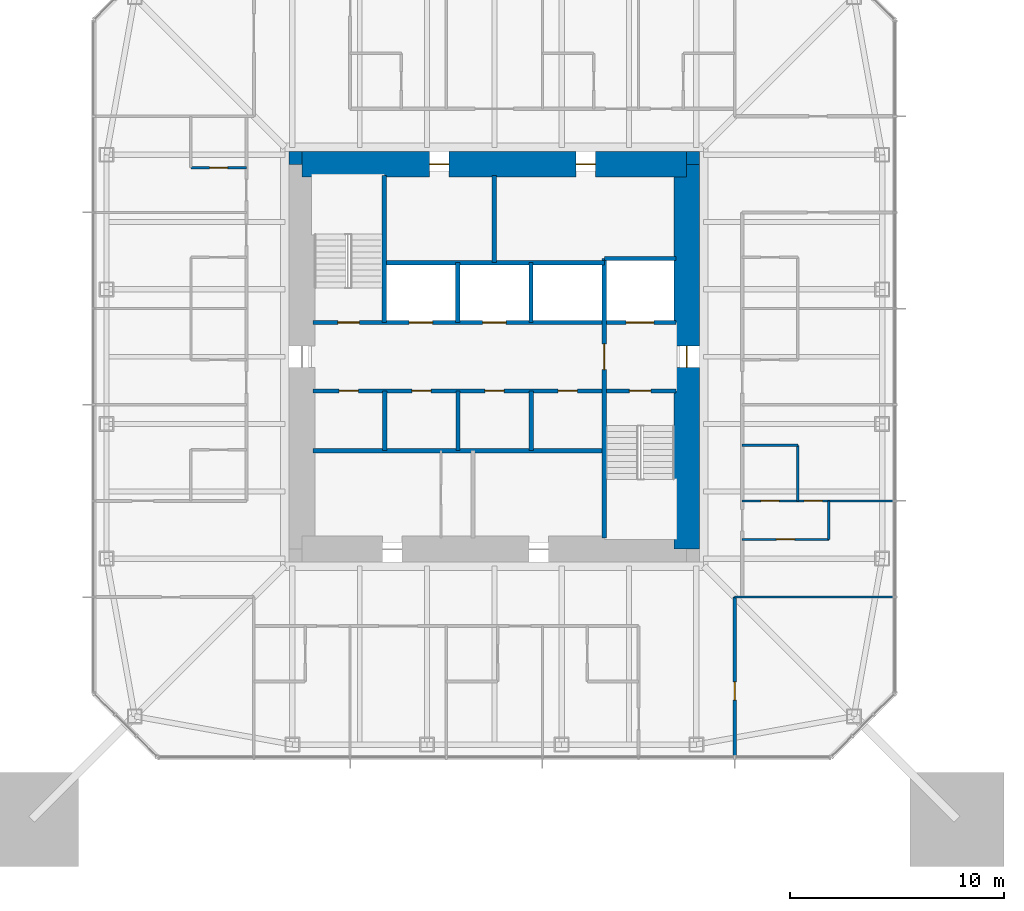
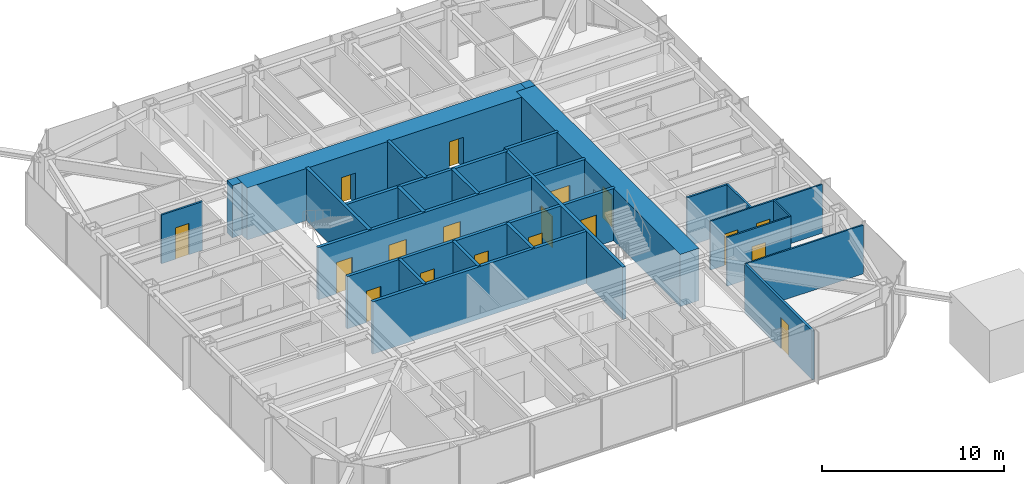
# One storey, part 7 of 11: 25 walls, 18 doors, 18 openings.
"""IFC4 building model written with IfcOpenShell, lengths in metres."""

import ifcopenshell
import ifcopenshell.guid

model = None  # the IFC model being written
_history = None  # IfcOwnerHistory: only IFC2X3 demands one
_inside = {}  # id of a spatial element -> (the spatial element, [elements in it])
_under = {}  # id of a project, library or spatial element -> (it, [spatial elements below it])
_declared = {}  # id of a project -> (the project, [libraries it declares])
_typed = {}  # id of a type object -> (the type object, [elements of that type])
_made_of = {}  # id of a material, layer set ... -> (it, [elements and type objects made of it])


def new_model(schema):
    """Start an empty IFC model of exactly this schema.

    Asked for "IFC4X3", IfcOpenShell would pick the latest addendum, in which some entities
    have other attributes; the version numbers below select the first issue.
    IFC2X3 requires an IfcOwnerHistory on every rooted entity: one is made here for all.
    """
    global model, _history
    if schema == "IFC4X3":
        model = ifcopenshell.file(schema_version=(4, 3, 0, 0))
    else:
        model = ifcopenshell.file(schema=schema)
    _inside.clear()
    _under.clear()
    _declared.clear()
    _typed.clear()
    _made_of.clear()
    _history = None
    if model.schema == "IFC2X3":
        org = make("IfcOrganization", Name="unknown")
        user = make(
            "IfcPersonAndOrganization",
            ThePerson=make("IfcPerson", FamilyName="unknown"),
            TheOrganization=org,
        )
        app = make(
            "IfcApplication",
            ApplicationDeveloper=org,
            Version="unknown",
            ApplicationFullName="unknown",
            ApplicationIdentifier="unknown",
        )
        _history = make(
            "IfcOwnerHistory",
            OwningUser=user,
            OwningApplication=app,
            ChangeAction="ADDED",
            CreationDate=0,
        )
    return model


def make(cls, **values):
    """One entity of the class cls with the attributes given. An attribute that is None is left unset."""
    return model.create_entity(
        cls, **{name: value for name, value in values.items() if value is not None}
    )


def rooted(cls, **values):
    """An entity with a GlobalId (a new one), such as an element, a storey or a relation."""
    return make(cls, GlobalId=ifcopenshell.guid.new(), OwnerHistory=_history, **values)


def si_unit(unit_type, name, prefix=None):
    """IfcSIUnit, for example si_unit("LENGTHUNIT", "METRE", prefix="MILLI")."""
    return make("IfcSIUnit", UnitType=unit_type, Prefix=prefix, Name=name)


def assignment(units):
    """IfcUnitAssignment: the units of a project."""
    return None if units is None else make("IfcUnitAssignment", Units=units)


def point(xyz):
    """IfcCartesianPoint."""
    return None if xyz is None else make("IfcCartesianPoint", Coordinates=xyz)


def direction(xyz):
    """IfcDirection."""
    return None if xyz is None else make("IfcDirection", DirectionRatios=xyz)


def frame(location, z_axis=None, x_axis=None):
    """IfcAxis2Placement3D, a coordinate frame: its origin and axes. An axis left out is left unset."""
    return make(
        "IfcAxis2Placement3D",
        Location=point(location),
        Axis=direction(z_axis),
        RefDirection=direction(x_axis),
    )


def frame_2d(location, x_axis=None):
    """IfcAxis2Placement2D, a coordinate frame in the plane: its origin and x axis."""
    return make(
        "IfcAxis2Placement2D", Location=point(location), RefDirection=direction(x_axis)
    )


def origin():
    """The frame at (0, 0, 0) with its axes left unset."""
    return frame((0.0, 0.0, 0.0))


def place(relative_to, where):
    """IfcLocalPlacement: puts the frame where relative to a parent placement (None: the world)."""
    return make(
        "IfcLocalPlacement", PlacementRelTo=relative_to, RelativePlacement=where
    )


def context(
    kind, dimensions, precision=None, world=None, true_north=None, identifier=None
):
    """IfcGeometricRepresentationContext, for example the 3D "Model" context."""
    return make(
        "IfcGeometricRepresentationContext",
        ContextIdentifier=identifier,
        ContextType=kind,
        CoordinateSpaceDimension=dimensions,
        Precision=precision,
        WorldCoordinateSystem=world,
        TrueNorth=true_north,
    )


def subcontext(parent, identifier, kind, view, scale=None):
    """IfcGeometricRepresentationSubContext, for example "Body" below "Model"."""
    return make(
        "IfcGeometricRepresentationSubContext",
        ContextIdentifier=identifier,
        ContextType=kind,
        ParentContext=parent,
        TargetScale=scale,
        TargetView=view,
    )


def project(units=None, contexts=None):
    """IfcProject with its units and contexts."""
    return rooted(
        "IfcProject",
        Name="project",
        RepresentationContexts=contexts,
        UnitsInContext=assignment(units),
    )


def spatial(cls, under=None, at=None, **own):
    """A site, building, storey or space (cls), placed at a placement, below another one or the project."""
    s = rooted(cls, ObjectPlacement=at, **own)
    if under is not None:
        _under.setdefault(under.id(), (under, []))[1].append(s)
    return s


def profile(cls, at=None, kind="AREA", **sizes):
    """A parametric profile (cls). Its sizes go by their IFC names, for example OverallWidth=200.0."""
    return make(cls, ProfileType=kind, Position=at, **sizes)


def rectangle(**sizes):
    """IfcRectangleProfileDef."""
    return profile("IfcRectangleProfileDef", **sizes)


def extrude(swept, where, along, depth):
    """IfcExtrudedAreaSolid: the profile swept, set in the frame where, extruded along a direction by depth."""
    return make(
        "IfcExtrudedAreaSolid",
        SweptArea=swept,
        Position=where,
        ExtrudedDirection=direction(along),
        Depth=depth,
    )


def shape(context_of_items, identifier, shape_type, items):
    """IfcShapeRepresentation: the items that make up one representation, for example the "Body"."""
    return make(
        "IfcShapeRepresentation",
        ContextOfItems=context_of_items,
        RepresentationIdentifier=identifier,
        RepresentationType=shape_type,
        Items=items,
    )


def material(Name=None, Category=None):
    """IfcMaterial."""
    return make("IfcMaterial", Name=Name, Category=Category)


def layer(
    of_material, thickness, ventilated=None, Name=None, Category=None, Priority=None
):
    """IfcMaterialLayer: one layer of a wall or slab, of a material (None: an air gap)."""
    return make(
        "IfcMaterialLayer",
        Material=of_material,
        LayerThickness=thickness,
        IsVentilated=ventilated,
        Name=Name,
        Category=Category,
        Priority=Priority,
    )


def layer_set(layers, Name=None):
    """IfcMaterialLayerSet."""
    return make("IfcMaterialLayerSet", MaterialLayers=layers, LayerSetName=Name)


def made_of(thing, what):
    """Note that an element or type object is made of a material, layer set ...; save() writes the relation."""
    if what is not None:
        _made_of.setdefault(what.id(), (what, []))[1].append(thing)
    return thing


def type_object(cls, material=None, **own):
    """A type object (cls), such as IfcWallType, which elements share."""
    return made_of(rooted(cls, **own), material)


def element(
    cls,
    number,
    at=None,
    inside=None,
    cuts=None,
    type_object=None,
    material=None,
    context=None,
    identifier="Body",
    shape_type=None,
    held_by="IfcProductDefinitionShape",
    body=None,
    shapes=None,
    **own,
):
    """One element of the class cls, such as IfcWall. Its Tag is "e" and its number.

    at: its placement. inside: the storey or other place that contains it. cuts: it is an
    opening in that element (IfcRelVoidsElement). A single representation is given by context,
    identifier, shape_type and body (its items); several are given by shapes. held_by: the class
    of the entity that holds the representations. save() writes the other relations.
    """
    e = rooted(cls, Tag="e%d" % number, ObjectPlacement=at, **own)
    if body is not None:
        shapes = [shape(context, identifier, shape_type, body)]
    if shapes is not None:
        e.Representation = make(held_by, Representations=shapes)
    if inside is not None:
        _inside.setdefault(inside.id(), (inside, []))[1].append(e)
    if cuts is not None:
        rooted(
            "IfcRelVoidsElement", RelatingBuildingElement=cuts, RelatedOpeningElement=e
        )
    if type_object is not None:
        _typed.setdefault(type_object.id(), (type_object, []))[1].append(e)
    return made_of(e, material)


def fill(opening, filler):
    """IfcRelFillsElement: the door or window that sits in an opening."""
    return rooted(
        "IfcRelFillsElement",
        RelatingOpeningElement=opening,
        RelatedBuildingElement=filler,
    )


def aggregate(whole, parts):
    """IfcRelAggregates: a whole, such as a stair, and the parts it consists of."""
    return rooted("IfcRelAggregates", RelatingObject=whole, RelatedObjects=parts)


def save(model, path):
    """Write the relations noted so far, then the file.

    IfcRelAggregates (storeys below a building ...), IfcRelContainedInSpatialStructure (elements
    in a storey), IfcRelDefinesByType, IfcRelAssociatesMaterial and IfcRelDeclares: one each for
    every whole, place, type object, material and project.
    """
    for whole, parts in _under.values():
        aggregate(whole, parts)
    for where, things in _inside.values():
        rooted(
            "IfcRelContainedInSpatialStructure",
            RelatedElements=things,
            RelatingStructure=where,
        )
    for kind, things in _typed.values():
        rooted("IfcRelDefinesByType", RelatedObjects=things, RelatingType=kind)
    for what, things in _made_of.values():
        rooted("IfcRelAssociatesMaterial", RelatedObjects=things, RelatingMaterial=what)
    for by, libraries in _declared.values():
        rooted("IfcRelDeclares", RelatingContext=by, RelatedDefinitions=libraries)
    model.write(path)


model = new_model("IFC4")

# Units and contexts
model_context = context("Model", 3, precision=1e-05, world=origin(), true_north=direction((0.0, 1.0)))
body_context = subcontext(model_context, "Body", "Model", "MODEL_VIEW")
ifc_project = project(units=[si_unit("LENGTHUNIT", "METRE"), si_unit("AREAUNIT", "SQUARE_METRE"), si_unit("VOLUMEUNIT", "CUBIC_METRE"), si_unit("PLANEANGLEUNIT", "RADIAN"), si_unit("MASSUNIT", "GRAM", prefix="KILO")], contexts=[model_context])

# Site, building, storey
site_placement = place(None, origin())
site = spatial("IfcSite", under=ifc_project, at=site_placement, CompositionType="ELEMENT")
building_placement = place(site_placement, origin())
building = spatial("IfcBuilding", under=site, at=building_placement, Name="Iwan Alto Co-Living Towers", CompositionType="ELEMENT")
storey_placement = place(building_placement, frame((0.0, 0.0, 156.5)))
storey = spatial("IfcBuildingStorey", under=building, at=storey_placement, Name="L42", CompositionType="ELEMENT", Elevation=156.5)

# Wall, opening, door
ifc_material_1 = material(Name="Gypsum board")
ifc_layer_1 = layer(ifc_material_1, 0.02490234375, Name="Board", Category="Finish")
ifc_material_2 = material(Name="Steel ASTM A1003 ST33H cold-formed studs", Category="steel")
ifc_layer_2 = layer(ifc_material_2, 0.10009765625, Name="Studs", Category="Framing")
ifc_layer_3 = layer(ifc_material_1, 0.02490234375, Name="Board", Category="Finish")
ifc_layer_set_1 = layer_set([ifc_layer_1, ifc_layer_2, ifc_layer_3], Name="CORRIDOR WALL 150")
wall_type_1 = type_object("IfcWallType", Name="CORRIDOR WALL 150", PredefinedType="PARTITIONING", material=ifc_layer_set_1)
wall_1_placement = place(storey_placement, frame((11.25, -18.68994140625, 0.0), z_axis=(0.0, 0.0, 1.0), x_axis=(0.0, 1.0, 0.0)))
wall_1 = element("IfcWall", 1, at=wall_1_placement, inside=storey, type_object=wall_type_1, Name="Partition L42", PredefinedType="PARTITIONING", context=body_context, shape_type="SweptSolid", body=[
    extrude(rectangle(XDim=7.43994140625, YDim=0.14990234375, at=frame_2d((3.719970703125, 0.0))), origin(), (0.0, 0.0, 1.0), 3.27001953125),
])
opening_1_placement = place(wall_1_placement, frame((2.6201171875, 0.0, 0.0)))
opening_1 = element("IfcOpeningElement", 2, at=opening_1_placement, cuts=wall_1, Name="Opening D2", PredefinedType="OPENING", context=body_context, shape_type="SweptSolid", body=[
    extrude(rectangle(XDim=0.85009765625, YDim=2.10009765625, at=frame_2d((0.425048828125, 1.050048828125))), frame((0.0, 0.0849609375, 0.0), z_axis=(0.0, -1.0, 0.0), x_axis=(1.0, 0.0, 0.0)), (0.0, 0.0, 1.0), 0.169921875),
])
ifc_material_3 = material(Name="Timber leaf in steel frame", Category="steel")
door_type_1 = type_object("IfcDoorType", Name="ROOM DOOR 850X2100", OperationType="SINGLE_SWING_LEFT", PredefinedType="DOOR", material=ifc_material_3)
door_1_placement = place(opening_1_placement, frame((0.85009765625, 0.0, 0.0), z_axis=(0.0, 0.0, 1.0), x_axis=(-1.0, 0.0, 0.0)))
door_1 = element("IfcDoor", 3, at=door_1_placement, inside=storey, type_object=door_type_1, Name="Shared kitchen and lounge door L42", OperationType="SINGLE_SWING_RIGHT", OverallHeight=2.10009765625, OverallWidth=0.85009765625, PredefinedType="DOOR", context=body_context, shape_type="SweptSolid", body=[
    extrude(rectangle(XDim=0.85009765625, YDim=2.10009765625, at=frame_2d((0.425048828125, 1.050048828125))), frame((0.0, 0.02490234375, 0.0), z_axis=(0.0, -1.0, 0.0), x_axis=(1.0, 0.0, 0.0)), (0.0, 0.0, 1.0), 0.050048828125),
])
fill(opening_1, door_1)

# Wall
ifc_layer_4 = layer(ifc_material_1, 0.012451171875, Name="Board", Category="Finish")
ifc_layer_5 = layer(ifc_material_2, 0.074951171875, Name="Studs", Category="Framing")
ifc_layer_6 = layer(ifc_material_1, 0.012451171875, Name="Board", Category="Finish")
ifc_layer_set_2 = layer_set([ifc_layer_4, ifc_layer_5, ifc_layer_6], Name="PARTITION 100")
wall_type_2 = type_object("IfcWallType", Name="PARTITION 100", PredefinedType="PARTITIONING", material=ifc_layer_set_2)
wall_2_placement = place(storey_placement, frame((11.25, -11.25, 0.0), z_axis=(0.0, 0.0, 1.0), x_axis=(1.0, 0.0, 0.0)))
element("IfcWall", 4, at=wall_2_placement, inside=storey, type_object=wall_type_2, Name="Partition L42", PredefinedType="PARTITIONING", context=body_context, shape_type="SweptSolid", body=[
    extrude(rectangle(XDim=7.43994140625, YDim=0.10009765625, at=frame_2d((3.719970703125, 0.0))), origin(), (0.0, 0.0, 1.0), 3.27001953125),
])

# Wall, opening, door
wall_3_placement = place(storey_placement, frame((11.60009765625, -8.550048828125, 0.0), z_axis=(0.0, 0.0, 1.0), x_axis=(1.0, 0.0, 0.0)))
wall_3 = element("IfcWall", 5, at=wall_3_placement, inside=storey, type_object=wall_type_2, Name="Partition L42", PredefinedType="PARTITIONING", context=body_context, shape_type="SweptSolid", body=[
    extrude(rectangle(XDim=4.0498046875, YDim=0.10009765625, at=frame_2d((2.02490234375, 0.0))), origin(), (0.0, 0.0, 1.0), 3.27001953125),
])
opening_2_placement = place(wall_3_placement, frame((1.60009765625, 0.0, 0.0)))
opening_2 = element("IfcOpeningElement", 6, at=opening_2_placement, cuts=wall_3, Name="Opening D2", PredefinedType="OPENING", context=body_context, shape_type="SweptSolid", body=[
    extrude(rectangle(XDim=0.85009765625, YDim=2.10009765625, at=frame_2d((0.425048828125, 1.050048828125))), frame((0.0, 0.06005859375, 0.0), z_axis=(0.0, -1.0, 0.0), x_axis=(1.0, 0.0, 0.0)), (0.0, 0.0, 1.0), 0.1201171875),
])
door_2_placement = place(opening_2_placement, frame((0.85009765625, 0.0, 0.0), z_axis=(0.0, 0.0, 1.0), x_axis=(-1.0, 0.0, 0.0)))
door_2 = element("IfcDoor", 7, at=door_2_placement, inside=storey, type_object=door_type_1, Name="Apartment foyer door L42", OperationType="SINGLE_SWING_RIGHT", OverallHeight=2.10009765625, OverallWidth=0.85009765625, PredefinedType="DOOR", context=body_context, shape_type="SweptSolid", body=[
    extrude(rectangle(XDim=0.85009765625, YDim=2.10009765625, at=frame_2d((0.425048828125, 1.050048828125))), frame((0.0, 0.02490234375, 0.0), z_axis=(0.0, -1.0, 0.0), x_axis=(1.0, 0.0, 0.0)), (0.0, 0.0, 1.0), 0.050048828125),
])
fill(opening_2, door_2)

# Wall, openings, doors
wall_4_placement = place(storey_placement, frame((11.60009765625, -6.75, 0.0), z_axis=(0.0, 0.0, 1.0), x_axis=(1.0, 0.0, 0.0)))
wall_4 = element("IfcWall", 8, at=wall_4_placement, inside=storey, type_object=wall_type_2, Name="Partition L42", PredefinedType="PARTITIONING", context=body_context, shape_type="SweptSolid", body=[
    extrude(rectangle(XDim=7.08984375, YDim=0.10009765625, at=frame_2d((3.544921875, 0.0))), origin(), (0.0, 0.0, 1.0), 3.27001953125),
])
opening_3_placement = place(wall_4_placement, frame((2.89990234375, 0.0, 0.0)))
opening_3 = element("IfcOpeningElement", 9, at=opening_3_placement, cuts=wall_4, Name="Opening D2", PredefinedType="OPENING", context=body_context, shape_type="SweptSolid", body=[
    extrude(rectangle(XDim=0.85009765625, YDim=2.10009765625, at=frame_2d((0.425048828125, 1.050048828125))), frame((0.0, 0.06005859375, 0.0), z_axis=(0.0, -1.0, 0.0), x_axis=(1.0, 0.0, 0.0)), (0.0, 0.0, 1.0), 0.1201171875),
])
opening_4_placement = place(wall_4_placement, frame((0.875, 0.0, 0.0)))
opening_4 = element("IfcOpeningElement", 10, at=opening_4_placement, cuts=wall_4, Name="Opening D2", PredefinedType="OPENING", context=body_context, shape_type="SweptSolid", body=[
    extrude(rectangle(XDim=0.85009765625, YDim=2.10009765625, at=frame_2d((0.425048828125, 1.050048828125))), frame((0.0, 0.06005859375, 0.0), z_axis=(0.0, -1.0, 0.0), x_axis=(1.0, 0.0, 0.0)), (0.0, 0.0, 1.0), 0.1201171875),
])
door_3_placement = place(opening_3_placement, origin())
door_3 = element("IfcDoor", 11, at=door_3_placement, inside=storey, type_object=door_type_1, Name="Bedroom door L42", OperationType="SINGLE_SWING_LEFT", OverallHeight=2.10009765625, OverallWidth=0.85009765625, PredefinedType="DOOR", context=body_context, shape_type="SweptSolid", body=[
    extrude(rectangle(XDim=0.85009765625, YDim=2.10009765625, at=frame_2d((0.425048828125, 1.050048828125))), frame((0.0, 0.02490234375, 0.0), z_axis=(0.0, -1.0, 0.0), x_axis=(1.0, 0.0, 0.0)), (0.0, 0.0, 1.0), 0.050048828125),
])
fill(opening_3, door_3)
door_4_placement = place(opening_4_placement, origin())
door_4 = element("IfcDoor", 12, at=door_4_placement, inside=storey, type_object=door_type_1, Name="Accessible bathroom door L42", OperationType="SINGLE_SWING_LEFT", OverallHeight=2.10009765625, OverallWidth=0.85009765625, PredefinedType="DOOR", context=body_context, shape_type="SweptSolid", body=[
    extrude(rectangle(XDim=0.85009765625, YDim=2.10009765625, at=frame_2d((0.425048828125, 1.050048828125))), frame((0.0, 0.02490234375, 0.0), z_axis=(0.0, -1.0, 0.0), x_axis=(1.0, 0.0, 0.0)), (0.0, 0.0, 1.0), 0.050048828125),
])
fill(opening_4, door_4)

# Walls
wall_5_placement = place(storey_placement, frame((15.64990234375, -8.550048828125, 0.0), z_axis=(0.0, 0.0, 1.0), x_axis=(0.0, 1.0, 0.0)))
element("IfcWall", 13, at=wall_5_placement, inside=storey, type_object=wall_type_2, Name="Partition L42", PredefinedType="PARTITIONING", context=body_context, shape_type="SweptSolid", body=[
    extrude(rectangle(XDim=1.800048828125, YDim=0.10009765625, at=frame_2d((0.89990234375, 0.0))), origin(), (0.0, 0.0, 1.0), 3.27001953125),
])
ifc_material_4 = material(Name="Concrete f'c 70 MPa", Category="concrete")
ifc_layer_7 = layer(ifc_material_4, 0.199951171875)
ifc_layer_set_3 = layer_set([ifc_layer_7], Name="SHAFT WALL 200")
wall_type_3 = type_object("IfcWallType", Name="SHAFT WALL 200", PredefinedType="SOLIDWALL", material=ifc_layer_set_3)
wall_6_placement = place(storey_placement, frame((-8.489990234375, -4.39990234375, 0.0), z_axis=(0.0, 0.0, 1.0), x_axis=(1.0, 0.0, 0.0)))
element("IfcWall", 14, at=wall_6_placement, inside=storey, type_object=wall_type_3, Name="Shaft wall L42", PredefinedType="SOLIDWALL", context=body_context, shape_type="SweptSolid", body=[
    extrude(rectangle(XDim=13.639892578125, YDim=0.199951171875, at=frame_2d((6.81982421875, 0.0))), origin(), (0.0, 0.0, 1.0), 3.5),
])

# Wall, openings, doors
wall_7_placement = place(storey_placement, frame((-8.489990234375, -1.60009765625, 0.0), z_axis=(0.0, 0.0, 1.0), x_axis=(1.0, 0.0, 0.0)))
wall_7 = element("IfcWall", 15, at=wall_7_placement, inside=storey, type_object=wall_type_3, Name="Shaft wall L42", PredefinedType="SOLIDWALL", context=body_context, shape_type="SweptSolid", body=[
    extrude(rectangle(XDim=16.97998046875, YDim=0.199951171875, at=frame_2d((8.489990234375, 0.0))), origin(), (0.0, 0.0, 1.0), 3.5),
])
opening_5_placement = place(wall_7_placement, frame((14.81005859375, 0.0, 0.0)))
opening_5 = element("IfcOpeningElement", 16, at=opening_5_placement, cuts=wall_7, Name="Opening D5", PredefinedType="OPENING", context=body_context, shape_type="SweptSolid", body=[
    extrude(rectangle(XDim=1.0, YDim=2.10009765625, at=frame_2d((0.5, 1.050048828125))), frame((0.0, 0.10986328125, 0.0), z_axis=(0.0, -1.0, 0.0), x_axis=(1.0, 0.0, 0.0)), (0.0, 0.0, 1.0), 0.219970703125),
])
opening_6_placement = place(wall_7_placement, frame((1.23193359375, 0.0, 0.0)))
opening_6 = element("IfcOpeningElement", 17, at=opening_6_placement, cuts=wall_7, Name="Opening D15", PredefinedType="OPENING", context=body_context, shape_type="SweptSolid", body=[
    extrude(rectangle(XDim=0.89990234375, YDim=2.10009765625, at=frame_2d((0.449951171875, 1.050048828125))), frame((0.0, 0.10986328125, 0.0), z_axis=(0.0, -1.0, 0.0), x_axis=(1.0, 0.0, 0.0)), (0.0, 0.0, 1.0), 0.219970703125),
])
opening_7_placement = place(wall_7_placement, frame((4.626953125, 0.0, 0.0)))
opening_7 = element("IfcOpeningElement", 18, at=opening_7_placement, cuts=wall_7, Name="Opening D15", PredefinedType="OPENING", context=body_context, shape_type="SweptSolid", body=[
    extrude(rectangle(XDim=0.89990234375, YDim=2.10009765625, at=frame_2d((0.449951171875, 1.050048828125))), frame((0.0, 0.10986328125, 0.0), z_axis=(0.0, -1.0, 0.0), x_axis=(1.0, 0.0, 0.0)), (0.0, 0.0, 1.0), 0.219970703125),
])
opening_8_placement = place(wall_7_placement, frame((8.052001953125, 0.0, 0.0)))
opening_8 = element("IfcOpeningElement", 19, at=opening_8_placement, cuts=wall_7, Name="Opening D15", PredefinedType="OPENING", context=body_context, shape_type="SweptSolid", body=[
    extrude(rectangle(XDim=0.89990234375, YDim=2.10009765625, at=frame_2d((0.449951171875, 1.050048828125))), frame((0.0, 0.10986328125, 0.0), z_axis=(0.0, -1.0, 0.0), x_axis=(1.0, 0.0, 0.0)), (0.0, 0.0, 1.0), 0.219970703125),
])
opening_9_placement = place(wall_7_placement, frame((11.47802734375, 0.0, 0.0)))
opening_9 = element("IfcOpeningElement", 20, at=opening_9_placement, cuts=wall_7, Name="Opening D15", PredefinedType="OPENING", context=body_context, shape_type="SweptSolid", body=[
    extrude(rectangle(XDim=0.89990234375, YDim=2.10009765625, at=frame_2d((0.449951171875, 1.050048828125))), frame((0.0, 0.10986328125, 0.0), z_axis=(0.0, -1.0, 0.0), x_axis=(1.0, 0.0, 0.0)), (0.0, 0.0, 1.0), 0.219970703125),
])
ifc_material_5 = material(Name="Steel frame with timber leaf", Category="steel")
door_type_2 = type_object("IfcDoorType", Name="CORE ROOM DOOR FD60S 900X2100", OperationType="SINGLE_SWING_LEFT", PredefinedType="DOOR", material=ifc_material_5)
door_5_placement = place(opening_6_placement, frame((0.89990234375, 0.0, 0.0), z_axis=(0.0, 0.0, 1.0), x_axis=(-1.0, 0.0, 0.0)))
door_5 = element("IfcDoor", 21, at=door_5_placement, inside=storey, type_object=door_type_2, Name="Housekeeping store door L42", OperationType="SINGLE_SWING_LEFT", OverallHeight=2.10009765625, OverallWidth=0.89990234375, PredefinedType="DOOR", context=body_context, shape_type="SweptSolid", body=[
    extrude(rectangle(XDim=0.89990234375, YDim=2.10009765625, at=frame_2d((0.449951171875, 1.050048828125))), frame((0.0, 0.02490234375, 0.0), z_axis=(0.0, -1.0, 0.0), x_axis=(1.0, 0.0, 0.0)), (0.0, 0.0, 1.0), 0.050048828125),
])
fill(opening_6, door_5)
door_6_placement = place(opening_7_placement, frame((0.89990234375, 0.0, 0.0), z_axis=(0.0, 0.0, 1.0), x_axis=(-1.0, 0.0, 0.0)))
door_6 = element("IfcDoor", 22, at=door_6_placement, inside=storey, type_object=door_type_2, Name="Cleaner's store door L42", OperationType="SINGLE_SWING_RIGHT", OverallHeight=2.10009765625, OverallWidth=0.89990234375, PredefinedType="DOOR", context=body_context, shape_type="SweptSolid", body=[
    extrude(rectangle(XDim=0.89990234375, YDim=2.10009765625, at=frame_2d((0.449951171875, 1.050048828125))), frame((0.0, 0.02490234375, 0.0), z_axis=(0.0, -1.0, 0.0), x_axis=(1.0, 0.0, 0.0)), (0.0, 0.0, 1.0), 0.050048828125),
])
fill(opening_7, door_6)
door_7_placement = place(opening_8_placement, frame((0.89990234375, 0.0, 0.0), z_axis=(0.0, 0.0, 1.0), x_axis=(-1.0, 0.0, 0.0)))
door_7 = element("IfcDoor", 23, at=door_7_placement, inside=storey, type_object=door_type_2, Name="Guest pantry door L42", OperationType="SINGLE_SWING_RIGHT", OverallHeight=2.10009765625, OverallWidth=0.89990234375, PredefinedType="DOOR", context=body_context, shape_type="SweptSolid", body=[
    extrude(rectangle(XDim=0.89990234375, YDim=2.10009765625, at=frame_2d((0.449951171875, 1.050048828125))), frame((0.0, 0.02490234375, 0.0), z_axis=(0.0, -1.0, 0.0), x_axis=(1.0, 0.0, 0.0)), (0.0, 0.0, 1.0), 0.050048828125),
])
fill(opening_8, door_7)
door_8_placement = place(opening_9_placement, frame((0.89990234375, 0.0, 0.0), z_axis=(0.0, 0.0, 1.0), x_axis=(-1.0, 0.0, 0.0)))
door_8 = element("IfcDoor", 24, at=door_8_placement, inside=storey, type_object=door_type_2, Name="Housekeeping store door L42", OperationType="SINGLE_SWING_RIGHT", OverallHeight=2.10009765625, OverallWidth=0.89990234375, PredefinedType="DOOR", context=body_context, shape_type="SweptSolid", body=[
    extrude(rectangle(XDim=0.89990234375, YDim=2.10009765625, at=frame_2d((0.449951171875, 1.050048828125))), frame((0.0, 0.02490234375, 0.0), z_axis=(0.0, -1.0, 0.0), x_axis=(1.0, 0.0, 0.0)), (0.0, 0.0, 1.0), 0.050048828125),
])
fill(opening_9, door_8)
ifc_material_6 = material(Name="Steel frame with timber leaf", Category="steel")
door_type_3 = type_object("IfcDoorType", Name="STAIR DOOR FD120S 1000X2100", OperationType="SINGLE_SWING_LEFT", PredefinedType="DOOR", material=ifc_material_6)
door_9_placement = place(opening_5_placement, frame((1.0, 0.0, 0.0), z_axis=(0.0, 0.0, 1.0), x_axis=(-1.0, 0.0, 0.0)))
door_9 = element("IfcDoor", 25, at=door_9_placement, inside=storey, type_object=door_type_3, Name="Stair S2 door L42", OperationType="SINGLE_SWING_RIGHT", OverallHeight=2.10009765625, OverallWidth=1.0, PredefinedType="DOOR", context=body_context, shape_type="SweptSolid", body=[
    extrude(rectangle(XDim=1.0, YDim=2.10009765625, at=frame_2d((0.5, 1.050048828125))), frame((0.0, 0.02490234375, 0.0), z_axis=(0.0, -1.0, 0.0), x_axis=(1.0, 0.0, 0.0)), (0.0, 0.0, 1.0), 0.050048828125),
])
fill(opening_5, door_9)

wall_8_placement = place(storey_placement, frame((-8.489990234375, 1.60009765625, 0.0), z_axis=(0.0, 0.0, 1.0), x_axis=(1.0, 0.0, 0.0)))
wall_8 = element("IfcWall", 26, at=wall_8_placement, inside=storey, type_object=wall_type_3, Name="Shaft wall L42", PredefinedType="SOLIDWALL", context=body_context, shape_type="SweptSolid", body=[
    extrude(rectangle(XDim=16.97998046875, YDim=0.199951171875, at=frame_2d((8.489990234375, 0.0))), origin(), (0.0, 0.0, 1.0), 3.5),
])
opening_10_placement = place(wall_8_placement, frame((1.169921875, 0.0, 0.0)))
opening_10 = element("IfcOpeningElement", 27, at=opening_10_placement, cuts=wall_8, Name="Opening D5", PredefinedType="OPENING", context=body_context, shape_type="SweptSolid", body=[
    extrude(rectangle(XDim=1.0, YDim=2.10009765625, at=frame_2d((0.5, 1.050048828125))), frame((0.0, 0.10986328125, 0.0), z_axis=(0.0, -1.0, 0.0), x_axis=(1.0, 0.0, 0.0)), (0.0, 0.0, 1.0), 0.219970703125),
])
opening_11_placement = place(wall_8_placement, frame((4.506103515625, 0.0, 0.0)))
opening_11 = element("IfcOpeningElement", 28, at=opening_11_placement, cuts=wall_8, Name="Opening LD", PredefinedType="OPENING", context=body_context, shape_type="SweptSolid", body=[
    extrude(rectangle(XDim=1.10009765625, YDim=2.10009765625, at=frame_2d((0.550048828125, 1.050048828125))), frame((0.0, 0.10986328125, 0.0), z_axis=(0.0, -1.0, 0.0), x_axis=(1.0, 0.0, 0.0)), (0.0, 0.0, 1.0), 0.219970703125),
])
opening_12_placement = place(wall_8_placement, frame((7.93994140625, 0.0, 0.0)))
opening_12 = element("IfcOpeningElement", 29, at=opening_12_placement, cuts=wall_8, Name="Opening LD", PredefinedType="OPENING", context=body_context, shape_type="SweptSolid", body=[
    extrude(rectangle(XDim=1.10009765625, YDim=2.10009765625, at=frame_2d((0.550048828125, 1.050048828125))), frame((0.0, 0.10986328125, 0.0), z_axis=(0.0, -1.0, 0.0), x_axis=(1.0, 0.0, 0.0)), (0.0, 0.0, 1.0), 0.219970703125),
])
opening_13_placement = place(wall_8_placement, frame((14.659912109375, 0.0, 0.0)))
opening_13 = element("IfcOpeningElement", 30, at=opening_13_placement, cuts=wall_8, Name="Opening LD2", PredefinedType="OPENING", context=body_context, shape_type="SweptSolid", body=[
    extrude(rectangle(XDim=1.300048828125, YDim=2.10009765625, at=frame_2d((0.64990234375, 1.050048828125))), frame((0.0, 0.10986328125, 0.0), z_axis=(0.0, -1.0, 0.0), x_axis=(1.0, 0.0, 0.0)), (0.0, 0.0, 1.0), 0.219970703125),
])
ifc_material_7 = material(Name="Steel frame with timber leaf", Category="steel")
door_type_4 = type_object("IfcDoorType", Name="LIFT LANDING DOOR 1100X2100", OperationType="DOUBLE_DOOR_SLIDING", PredefinedType="DOOR", material=ifc_material_7)
door_10_placement = place(opening_11_placement, origin())
door_10 = element("IfcDoor", 31, at=door_10_placement, inside=storey, type_object=door_type_4, Name="Lift P3-1 landing door L42", OperationType="DOUBLE_DOOR_SLIDING", OverallHeight=2.10009765625, OverallWidth=1.10009765625, PredefinedType="DOOR", context=body_context, shape_type="SweptSolid", body=[
    extrude(rectangle(XDim=1.10009765625, YDim=2.10009765625, at=frame_2d((0.550048828125, 1.050048828125))), frame((0.0, 0.02490234375, 0.0), z_axis=(0.0, -1.0, 0.0), x_axis=(1.0, 0.0, 0.0)), (0.0, 0.0, 1.0), 0.050048828125),
])
fill(opening_11, door_10)
door_11_placement = place(opening_12_placement, origin())
door_11 = element("IfcDoor", 32, at=door_11_placement, inside=storey, type_object=door_type_4, Name="Lift P3-2 landing door L42", OperationType="DOUBLE_DOOR_SLIDING", OverallHeight=2.10009765625, OverallWidth=1.10009765625, PredefinedType="DOOR", context=body_context, shape_type="SweptSolid", body=[
    extrude(rectangle(XDim=1.10009765625, YDim=2.10009765625, at=frame_2d((0.550048828125, 1.050048828125))), frame((0.0, 0.02490234375, 0.0), z_axis=(0.0, -1.0, 0.0), x_axis=(1.0, 0.0, 0.0)), (0.0, 0.0, 1.0), 0.050048828125),
])
fill(opening_12, door_11)
ifc_material_8 = material(Name="Steel frame with timber leaf", Category="steel")
door_type_5 = type_object("IfcDoorType", Name="LIFT LANDING DOOR 1300X2100", OperationType="SLIDING_TO_LEFT", PredefinedType="DOOR", material=ifc_material_8)
door_12_placement = place(opening_13_placement, origin())
door_12 = element("IfcDoor", 33, at=door_12_placement, inside=storey, type_object=door_type_5, Name="Lift FL1 landing door L42", OperationType="SLIDING_TO_LEFT", OverallHeight=2.10009765625, OverallWidth=1.300048828125, PredefinedType="DOOR", context=body_context, shape_type="SweptSolid", body=[
    extrude(rectangle(XDim=1.300048828125, YDim=2.10009765625, at=frame_2d((0.64990234375, 1.050048828125))), frame((0.0, 0.02490234375, 0.0), z_axis=(0.0, -1.0, 0.0), x_axis=(1.0, 0.0, 0.0)), (0.0, 0.0, 1.0), 0.050048828125),
])
fill(opening_13, door_12)
door_13_placement = place(opening_10_placement, origin())
door_13 = element("IfcDoor", 34, at=door_13_placement, inside=storey, type_object=door_type_3, Name="Stair S1 door L42", OperationType="SINGLE_SWING_RIGHT", OverallHeight=2.10009765625, OverallWidth=1.0, PredefinedType="DOOR", context=body_context, shape_type="SweptSolid", body=[
    extrude(rectangle(XDim=1.0, YDim=2.10009765625, at=frame_2d((0.5, 1.050048828125))), frame((0.0, 0.02490234375, 0.0), z_axis=(0.0, -1.0, 0.0), x_axis=(1.0, 0.0, 0.0)), (0.0, 0.0, 1.0), 0.050048828125),
])
fill(opening_10, door_13)

# Walls
wall_9_placement = place(storey_placement, frame((-5.14990234375, 4.39990234375, 0.0), z_axis=(0.0, 0.0, 1.0), x_axis=(1.0, 0.0, 0.0)))
element("IfcWall", 35, at=wall_9_placement, inside=storey, type_object=wall_type_3, Name="Shaft wall L42", PredefinedType="SOLIDWALL", context=body_context, shape_type="SweptSolid", body=[
    extrude(rectangle(XDim=10.2998046875, YDim=0.199951171875, at=frame_2d((5.14990234375, 0.0))), origin(), (0.0, 0.0, 1.0), 3.5),
])
wall_10_placement = place(storey_placement, frame((5.14990234375, 4.60009765625, 0.0), z_axis=(0.0, 0.0, 1.0), x_axis=(1.0, 0.0, 0.0)))
element("IfcWall", 36, at=wall_10_placement, inside=storey, type_object=wall_type_3, Name="Shaft wall L42", PredefinedType="SOLIDWALL", context=body_context, shape_type="SweptSolid", body=[
    extrude(rectangle(XDim=3.340087890625, YDim=0.199951171875, at=frame_2d((1.669921875, 0.0))), origin(), (0.0, 0.0, 1.0), 3.5),
])

# Wall, opening, door
wall_11_placement = place(storey_placement, frame((5.14990234375, -8.489990234375, 0.0), z_axis=(0.0, 0.0, 1.0), x_axis=(0.0, 1.0, 0.0)))
wall_11 = element("IfcWall", 37, at=wall_11_placement, inside=storey, type_object=wall_type_3, Name="Shaft wall L42", PredefinedType="SOLIDWALL", context=body_context, shape_type="SweptSolid", body=[
    extrude(rectangle(XDim=13.090087890625, YDim=0.199951171875, at=frame_2d((6.544921875, 0.0))), origin(), (0.0, 0.0, 1.0), 3.5),
])
opening_14_placement = place(wall_11_placement, frame((7.889892578125, 0.0, 0.0)))
opening_14 = element("IfcOpeningElement", 38, at=opening_14_placement, cuts=wall_11, Name="Opening D6", PredefinedType="OPENING", context=body_context, shape_type="SweptSolid", body=[
    extrude(rectangle(XDim=1.199951171875, YDim=2.10009765625, at=frame_2d((0.60009765625, 1.050048828125))), frame((0.0, 0.10986328125, 0.0), z_axis=(0.0, -1.0, 0.0), x_axis=(1.0, 0.0, 0.0)), (0.0, 0.0, 1.0), 0.219970703125),
])
ifc_material_9 = material(Name="Steel frame with timber leaf", Category="steel")
door_type_6 = type_object("IfcDoorType", Name="LOBBY DOOR FD120S 1200X2100", OperationType="SINGLE_SWING_LEFT", PredefinedType="DOOR", material=ifc_material_9)
door_14_placement = place(opening_14_placement, frame((1.199951171875, 0.0, 0.0), z_axis=(0.0, 0.0, 1.0), x_axis=(-1.0, 0.0, 0.0)))
door_14 = element("IfcDoor", 39, at=door_14_placement, inside=storey, type_object=door_type_6, Name="Firefighting lobby door L42", OperationType="SINGLE_SWING_RIGHT", OverallHeight=2.10009765625, OverallWidth=1.199951171875, PredefinedType="DOOR", context=body_context, shape_type="SweptSolid", body=[
    extrude(rectangle(XDim=1.199951171875, YDim=2.10009765625, at=frame_2d((0.60009765625, 1.050048828125))), frame((0.0, 0.02490234375, 0.0), z_axis=(0.0, -1.0, 0.0), x_axis=(1.0, 0.0, 0.0)), (0.0, 0.0, 1.0), 0.050048828125),
])
fill(opening_14, door_14)

# Walls
for number, where, z_axis, x_axis, name in (
    (40, (1.72509765625, -4.39990234375, 0.0), (0.0, 0.0, 1.0), (0.0, 1.0, 0.0), "Shaft wall L42"),
    (41, (1.717041015625, 1.60009765625, 0.0), (0.0, 0.0, 1.0), (0.0, 1.0, 0.0), "Shaft wall L42"),
):
    element("IfcWall", number, at=place(storey_placement, frame(where, z_axis=z_axis, x_axis=x_axis)), inside=storey, type_object=wall_type_3, Name=name, PredefinedType="SOLIDWALL", context=body_context, shape_type="SweptSolid", body=[
        extrude(rectangle(XDim=2.7998046875, YDim=0.199951171875, at=frame_2d((1.39990234375, 0.0))), origin(), (0.0, 0.0, 1.0), 3.5),
    ])
wall_12_placement = place(storey_placement, frame((0.0, 4.39990234375, 0.0), z_axis=(0.0, 0.0, 1.0), x_axis=(0.0, 1.0, 0.0)))
element("IfcWall", 42, at=wall_12_placement, inside=storey, type_object=wall_type_3, Name="Shaft wall L42", PredefinedType="SOLIDWALL", context=body_context, shape_type="SweptSolid", body=[
    extrude(rectangle(XDim=4.090087890625, YDim=0.199951171875, at=frame_2d((2.044921875, 0.0))), origin(), (0.0, 0.0, 1.0), 3.5),
])
for number, where, z_axis, x_axis, name in (
    (43, (-1.699951171875, -4.39990234375, 0.0), (0.0, 0.0, 1.0), (0.0, 1.0, 0.0), "Shaft wall L42"),
    (44, (-1.717041015625, 1.60009765625, 0.0), (0.0, 0.0, 1.0), (0.0, 1.0, 0.0), "Shaft wall L42"),
    (45, (-5.125, -4.39990234375, 0.0), (0.0, 0.0, 1.0), (0.0, 1.0, 0.0), "Shaft wall L42"),
):
    element("IfcWall", number, at=place(storey_placement, frame(where, z_axis=z_axis, x_axis=x_axis)), inside=storey, type_object=wall_type_3, Name=name, PredefinedType="SOLIDWALL", context=body_context, shape_type="SweptSolid", body=[
        extrude(rectangle(XDim=2.7998046875, YDim=0.199951171875, at=frame_2d((1.39990234375, 0.0))), origin(), (0.0, 0.0, 1.0), 3.5),
    ])
wall_13_placement = place(storey_placement, frame((-5.14990234375, 1.60009765625, 0.0), z_axis=(0.0, 0.0, 1.0), x_axis=(0.0, 1.0, 0.0)))
element("IfcWall", 46, at=wall_13_placement, inside=storey, type_object=wall_type_3, Name="Shaft wall L42", PredefinedType="SOLIDWALL", context=body_context, shape_type="SweptSolid", body=[
    extrude(rectangle(XDim=6.889892578125, YDim=0.199951171875, at=frame_2d((3.44482421875, 0.0))), origin(), (0.0, 0.0, 1.0), 3.5),
])
ifc_material_10 = material(Name="Concrete f'c 70 MPa", Category="concrete")
ifc_layer_8 = layer(ifc_material_10, 0.60009765625)
ifc_layer_set_4 = layer_set([ifc_layer_8], Name="T1 CORE CORNER FILL 600")
wall_type_4 = type_object("IfcWallType", Name="T1 CORE CORNER FILL 600", PredefinedType="SOLIDWALL", material=ifc_layer_set_4)
for number, where, z_axis, x_axis, name in (
    (47, (9.0, 9.300048828125, 0.0), (0.0, 0.0, 1.0), (1.0, 0.0, 0.0), "T1 core corner NE L42"),
    (48, (-9.60009765625, 9.300048828125, 0.0), (0.0, 0.0, 1.0), (1.0, 0.0, 0.0), "T1 core corner NW L42"),
):
    element("IfcWall", number, at=place(storey_placement, frame(where, z_axis=z_axis, x_axis=x_axis)), inside=storey, type_object=wall_type_4, Name=name, PredefinedType="SOLIDWALL", context=body_context, shape_type="SweptSolid", body=[
        extrude(rectangle(XDim=0.60009765625, YDim=0.60009765625, at=frame_2d((0.300048828125, 0.0))), origin(), (0.0, 0.0, 1.0), 3.5),
    ])

# Wall, openings, doors
ifc_material_11 = material(Name="Concrete f'c 70 MPa", Category="concrete")
ifc_layer_9 = layer(ifc_material_11, 1.199951171875)
ifc_layer_set_5 = layer_set([ifc_layer_9], Name="T1 CORE WALL 1200")
wall_type_5 = type_object("IfcWallType", Name="T1 CORE WALL 1200", PredefinedType="SHEAR", material=ifc_layer_set_5)
wall_14_placement = place(storey_placement, frame((9.0, 9.0, 0.0), z_axis=(0.0, 0.0, 1.0), x_axis=(-1.0, 0.0, 0.0)))
wall_14 = element("IfcWall", 49, at=wall_14_placement, inside=storey, type_object=wall_type_5, Name="T1 core wall N L42", PredefinedType="SHEAR", context=body_context, shape_type="SweptSolid", body=[
    extrude(rectangle(XDim=18.0, YDim=1.199951171875, at=frame_2d((9.0, 0.0))), origin(), (0.0, 0.0, 1.0), 3.5),
])
opening_15_placement = place(wall_14_placement, frame((11.125, 0.0, 0.0)))
opening_15 = element("IfcOpeningElement", 50, at=opening_15_placement, cuts=wall_14, Name="Opening D8", PredefinedType="OPENING", context=body_context, shape_type="SweptSolid", body=[
    extrude(rectangle(XDim=0.89990234375, YDim=2.10009765625, at=frame_2d((0.449951171875, 1.050048828125))), frame((0.0, 0.60986328125, 0.0), z_axis=(0.0, -1.0, 0.0), x_axis=(1.0, 0.0, 0.0)), (0.0, 0.0, 1.0), 1.219970703125),
])
opening_16_placement = place(wall_14_placement, frame((4.27490234375, 0.0, 0.0)))
opening_16 = element("IfcOpeningElement", 51, at=opening_16_placement, cuts=wall_14, Name="Opening D8", PredefinedType="OPENING", context=body_context, shape_type="SweptSolid", body=[
    extrude(rectangle(XDim=0.89990234375, YDim=2.10009765625, at=frame_2d((0.449951171875, 1.050048828125))), frame((0.0, 0.60986328125, 0.0), z_axis=(0.0, -1.0, 0.0), x_axis=(1.0, 0.0, 0.0)), (0.0, 0.0, 1.0), 1.219970703125),
])
ifc_material_12 = material(Name="Steel frame with timber leaf", Category="steel")
door_type_7 = type_object("IfcDoorType", Name="RISER DOOR FD120 900X2100", OperationType="SINGLE_SWING_LEFT", PredefinedType="DOOR", material=ifc_material_12)
door_15_placement = place(opening_15_placement, origin())
door_15 = element("IfcDoor", 52, at=door_15_placement, inside=storey, type_object=door_type_7, Name="Electrical riser core door L42", OperationType="SINGLE_SWING_RIGHT", OverallHeight=2.10009765625, OverallWidth=0.89990234375, PredefinedType="DOOR", context=body_context, shape_type="SweptSolid", body=[
    extrude(rectangle(XDim=0.89990234375, YDim=2.10009765625, at=frame_2d((0.449951171875, 1.050048828125))), frame((0.0, 0.02490234375, 0.0), z_axis=(0.0, -1.0, 0.0), x_axis=(1.0, 0.0, 0.0)), (0.0, 0.0, 1.0), 0.050048828125),
])
fill(opening_15, door_15)
door_16_placement = place(opening_16_placement, origin())
door_16 = element("IfcDoor", 53, at=door_16_placement, inside=storey, type_object=door_type_7, Name="Water and drainage riser core door L42", OperationType="SINGLE_SWING_RIGHT", OverallHeight=2.10009765625, OverallWidth=0.89990234375, PredefinedType="DOOR", context=body_context, shape_type="SweptSolid", body=[
    extrude(rectangle(XDim=0.89990234375, YDim=2.10009765625, at=frame_2d((0.449951171875, 1.050048828125))), frame((0.0, 0.02490234375, 0.0), z_axis=(0.0, -1.0, 0.0), x_axis=(1.0, 0.0, 0.0)), (0.0, 0.0, 1.0), 0.050048828125),
])
fill(opening_16, door_16)

# Wall, opening, door
wall_15_placement = place(storey_placement, frame((9.0, -9.0, 0.0), z_axis=(0.0, 0.0, 1.0), x_axis=(0.0, 1.0, 0.0)))
wall_15 = element("IfcWall", 54, at=wall_15_placement, inside=storey, type_object=wall_type_5, Name="T1 core wall E L42", PredefinedType="SHEAR", context=body_context, shape_type="SweptSolid", body=[
    extrude(rectangle(XDim=18.0, YDim=1.199951171875, at=frame_2d((9.0, 0.0))), origin(), (0.0, 0.0, 1.0), 3.5),
])
opening_17_placement = place(wall_15_placement, frame((8.5, 0.0, 0.0)))
opening_17 = element("IfcOpeningElement", 55, at=opening_17_placement, cuts=wall_15, Name="Opening D7", PredefinedType="OPENING", context=body_context, shape_type="SweptSolid", body=[
    extrude(rectangle(XDim=1.0, YDim=2.10009765625, at=frame_2d((0.5, 1.050048828125))), frame((0.0, 0.60986328125, 0.0), z_axis=(0.0, -1.0, 0.0), x_axis=(1.0, 0.0, 0.0)), (0.0, 0.0, 1.0), 1.219970703125),
])
ifc_material_13 = material(Name="Steel frame with timber leaf", Category="steel")
door_type_8 = type_object("IfcDoorType", Name="CORE DOOR FD120S 1000X2100", OperationType="SINGLE_SWING_LEFT", PredefinedType="DOOR", material=ifc_material_13)
door_17_placement = place(opening_17_placement, origin())
door_17 = element("IfcDoor", 56, at=door_17_placement, inside=storey, type_object=door_type_8, Name="Firefighting lobby core door L42", OperationType="SINGLE_SWING_LEFT", OverallHeight=2.10009765625, OverallWidth=1.0, PredefinedType="DOOR", context=body_context, shape_type="SweptSolid", body=[
    extrude(rectangle(XDim=1.0, YDim=2.10009765625, at=frame_2d((0.5, 1.050048828125))), frame((0.0, 0.02490234375, 0.0), z_axis=(0.0, -1.0, 0.0), x_axis=(1.0, 0.0, 0.0)), (0.0, 0.0, 1.0), 0.050048828125),
])
fill(opening_17, door_17)

# Wall
ifc_material_14 = material(Name="Cement board")
ifc_layer_10 = layer(ifc_material_14, 0.012451171875, Name="Board", Category="Finish")
ifc_layer_11 = layer(ifc_material_2, 0.094970703125, Name="Studs", Category="Framing")
ifc_layer_12 = layer(ifc_material_14, 0.012451171875, Name="Board", Category="Finish")
ifc_layer_set_6 = layer_set([ifc_layer_10, ifc_layer_11, ifc_layer_12], Name="WET AREA PARTITION 120")
wall_type_6 = type_object("IfcWallType", Name="WET AREA PARTITION 120", PredefinedType="PARTITIONING", material=ifc_layer_set_6)
wall_16_placement = place(storey_placement, frame((11.60009765625, -4.14990234375, 0.0), z_axis=(0.0, 0.0, 1.0), x_axis=(1.0, 0.0, 0.0)))
element("IfcWall", 57, at=wall_16_placement, inside=storey, type_object=wall_type_6, Name="Partition L42", PredefinedType="PARTITIONING", context=body_context, shape_type="SweptSolid", body=[
    extrude(rectangle(XDim=2.599853515625, YDim=0.1201171875, at=frame_2d((1.2998046875, 0.0))), origin(), (0.0, 0.0, 1.0), 3.27001953125),
])

# Wall, opening, door
wall_17_placement = place(storey_placement, frame((-14.199951171875, 8.85009765625, 0.0), z_axis=(0.0, 0.0, 1.0), x_axis=(1.0, 0.0, 0.0)))
wall_17 = element("IfcWall", 58, at=wall_17_placement, inside=storey, type_object=wall_type_6, Name="Partition L42", PredefinedType="PARTITIONING", context=body_context, shape_type="SweptSolid", body=[
    extrude(rectangle(XDim=2.599853515625, YDim=0.1201171875, at=frame_2d((1.2998046875, 0.0))), origin(), (0.0, 0.0, 1.0), 3.27001953125),
])
opening_18_placement = place(wall_17_placement, frame((0.875, 0.0, 0.0)))
opening_18 = element("IfcOpeningElement", 59, at=opening_18_placement, cuts=wall_17, Name="Opening D2", PredefinedType="OPENING", context=body_context, shape_type="SweptSolid", body=[
    extrude(rectangle(XDim=0.85009765625, YDim=2.10009765625, at=frame_2d((0.425048828125, 1.050048828125))), frame((0.0, 0.070068359375, 0.0), z_axis=(0.0, -1.0, 0.0), x_axis=(1.0, 0.0, 0.0)), (0.0, 0.0, 1.0), 0.14013671875),
])
door_18_placement = place(opening_18_placement, frame((0.85009765625, 0.0, 0.0), z_axis=(0.0, 0.0, 1.0), x_axis=(-1.0, 0.0, 0.0)))
door_18 = element("IfcDoor", 60, at=door_18_placement, inside=storey, type_object=door_type_1, Name="En-suite shower room door L42", OperationType="SINGLE_SWING_LEFT", OverallHeight=2.10009765625, OverallWidth=0.85009765625, PredefinedType="DOOR", context=body_context, shape_type="SweptSolid", body=[
    extrude(rectangle(XDim=0.85009765625, YDim=2.10009765625, at=frame_2d((0.425048828125, 1.050048828125))), frame((0.0, 0.02490234375, 0.0), z_axis=(0.0, -1.0, 0.0), x_axis=(1.0, 0.0, 0.0)), (0.0, 0.0, 1.0), 0.050048828125),
])
fill(opening_18, door_18)

# Wall
wall_18_placement = place(storey_placement, frame((14.199951171875, -6.75, 0.0), z_axis=(0.0, 0.0, 1.0), x_axis=(0.0, 1.0, 0.0)))
element("IfcWall", 61, at=wall_18_placement, inside=storey, type_object=wall_type_6, Name="Partition L42", PredefinedType="PARTITIONING", context=body_context, shape_type="SweptSolid", body=[
    extrude(rectangle(XDim=2.60009765625, YDim=0.1201171875, at=frame_2d((1.300048828125, 0.0))), origin(), (0.0, 0.0, 1.0), 3.27001953125),
])

save(model, "model.ifc")
